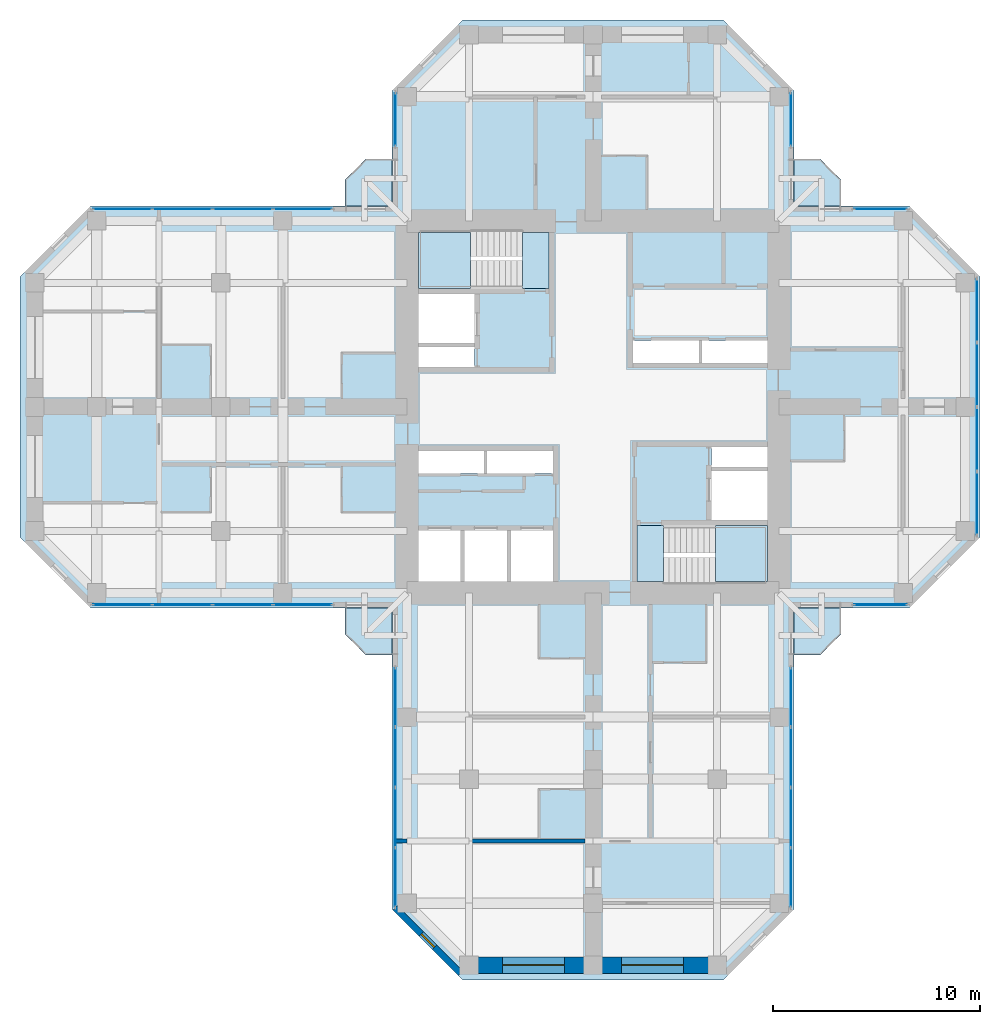
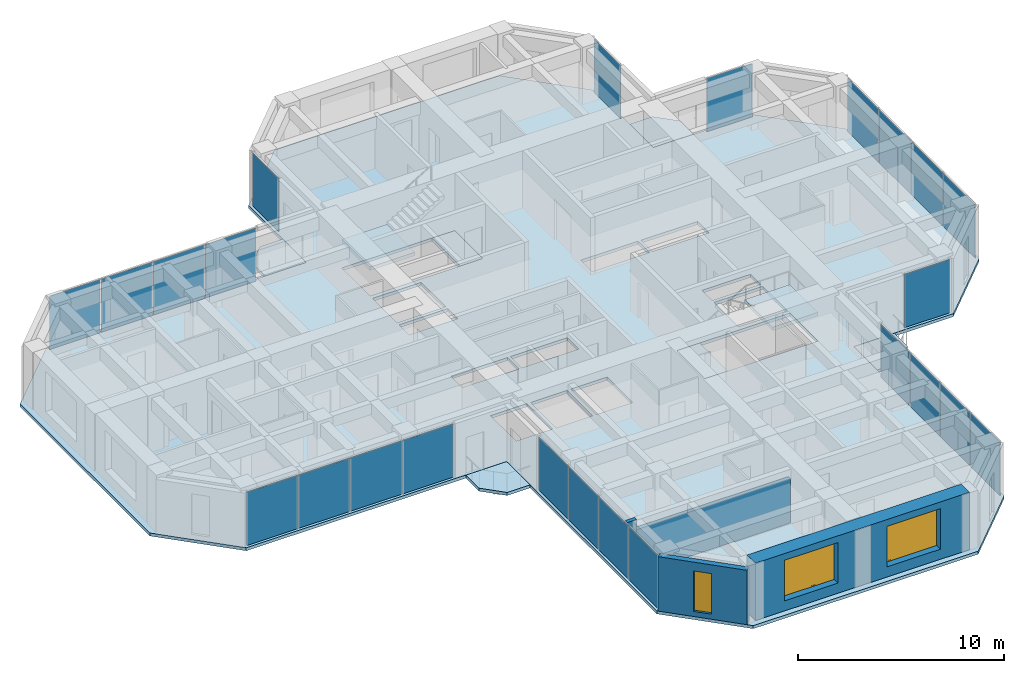
# One storey, part 7 of 13: 24 plates, 9 slabs, 4 walls, 3 windows, 3 openings, 11 elements without a shape of their own.
"""IFC4 building model written with IfcOpenShell, lengths in metres."""

from ifc_helpers import new_model, si_unit, direction, frame, frame_2d, origin, origin_2d, place, context, subcontext, project, spatial, polyline, rectangle, hollow_rectangle, outline, extrude, material, layer, layer_set, constituent, constituent_set, type_object, element, fill, aggregate, save


model = new_model("IFC4")

# Units and contexts
model_context = context("Model", 3, precision=1e-05, world=origin(), true_north=direction((0.0, 1.0)))
body_context = subcontext(model_context, "Body", "Model", "MODEL_VIEW")
ifc_project = project(units=[si_unit("LENGTHUNIT", "METRE"), si_unit("AREAUNIT", "SQUARE_METRE"), si_unit("VOLUMEUNIT", "CUBIC_METRE"), si_unit("PLANEANGLEUNIT", "RADIAN"), si_unit("MASSUNIT", "GRAM", prefix="KILO")], contexts=[model_context])

# Site, building, storey
site_placement = place(None, origin())
site = spatial("IfcSite", under=ifc_project, at=site_placement, CompositionType="ELEMENT")
building_placement = place(site_placement, origin())
building = spatial("IfcBuilding", under=site, at=building_placement, Name="Torre Cruceta", CompositionType="ELEMENT")
storey_placement = place(building_placement, frame((0.0, 0.0, 189.89990234375)))
storey = spatial("IfcBuildingStorey", under=building, at=storey_placement, Name="L47", CompositionType="ELEMENT", Elevation=189.89990234375)

# Slabs
ifc_material_1 = material(Name="Concrete G35 (fck 35 MPa)", Category="concrete")
ifc_layer_1 = layer(ifc_material_1, 0.179931640625)
ifc_layer_set_1 = layer_set([ifc_layer_1], Name="Concrete G35 (fck 35 MPa)")
slab_type_1 = type_object("IfcSlabType", Name="BALCONY SLAB 180", PredefinedType="USERDEFINED", material=ifc_layer_set_1)
slab_1_placement = place(storey_placement, frame((0.0, 0.0, -0.179931640625)))
element("IfcSlab", 1, at=slab_1_placement, inside=storey, type_object=slab_type_1, Name="Balcony slab L47 N", ObjectType="BALCONY", PredefinedType="USERDEFINED", context=body_context, shape_type="SweptSolid", body=[
    extrude(outline(polyline([(-12.0, 11.0), (-11.0, 12.0), (-9.719970703125, 12.0), (-9.719970703125, 9.719970703125), (-12.0, 9.719970703125), (-12.0, 11.0)])), origin(), (0.0, 0.0, 1.0), 0.179931640625),
])
slab_2_placement = place(storey_placement, frame((0.0, 0.0, -0.179931640625)))
element("IfcSlab", 2, at=slab_2_placement, inside=storey, type_object=slab_type_1, Name="Balcony slab L47 E", ObjectType="BALCONY", PredefinedType="USERDEFINED", context=body_context, shape_type="SweptSolid", body=[
    extrude(outline(polyline([(11.0, 12.0), (12.0, 11.0), (12.0, 9.719970703125), (9.719970703125, 9.719970703125), (9.719970703125, 12.0), (11.0, 12.0)])), origin(), (0.0, 0.0, 1.0), 0.179931640625),
])
slab_3_placement = place(storey_placement, frame((0.0, 0.0, -0.179931640625)))
element("IfcSlab", 3, at=slab_3_placement, inside=storey, type_object=slab_type_1, Name="Balcony slab L47 S", ObjectType="BALCONY", PredefinedType="USERDEFINED", context=body_context, shape_type="SweptSolid", body=[
    extrude(outline(polyline([(12.0, -11.0), (11.0, -12.0), (9.719970703125, -12.0), (9.719970703125, -9.719970703125), (12.0, -9.719970703125), (12.0, -11.0)])), origin(), (0.0, 0.0, 1.0), 0.179931640625),
])
slab_4_placement = place(storey_placement, frame((0.0, 0.0, -0.179931640625)))
element("IfcSlab", 4, at=slab_4_placement, inside=storey, type_object=slab_type_1, Name="Balcony slab L47 W", ObjectType="BALCONY", PredefinedType="USERDEFINED", context=body_context, shape_type="SweptSolid", body=[
    extrude(outline(polyline([(-11.0, -12.0), (-12.0, -11.0), (-12.0, -9.719970703125), (-9.719970703125, -9.719970703125), (-9.719970703125, -12.0), (-11.0, -12.0)])), origin(), (0.0, 0.0, 1.0), 0.179931640625),
])

# Curtain wall, plate
ifc_material_2 = material(Name="Aluminium unitised curtain wall", Category="aluminium")
curtain_wall_type = type_object("IfcCurtainWallType", Name="CURTAIN WALL CW-C CO-LIVING", PredefinedType="USERDEFINED", material=ifc_material_2)
curtain_wall_1_placement = place(storey_placement, origin())
curtain_wall_1 = element("IfcCurtainWall", 5, at=curtain_wall_1_placement, inside=storey, type_object=curtain_wall_type, Name="CW-C L47 E tip 02", ObjectType="UNITISED", PredefinedType="USERDEFINED")
ifc_material_3 = material(Name="Laminated insulating glass unit, low-iron clear", Category="glass")
ifc_material_4 = material(Name="Laminated insulating glass unit, diagonal frit 50 %", Category="glass")
ifc_layer_2 = layer(ifc_material_4, 0.030029296875)
ifc_layer_set_2 = layer_set([ifc_layer_2], Name="Laminated insulating glass unit, diagonal frit 50 %")
plate_type_1 = type_object("IfcPlateType", Name="CW-C OPERABLE VENT PANEL 30", PredefinedType="CURTAIN_PANEL", material=ifc_layer_set_2)
plate_1_placement = place(storey_placement, frame((18.570068359375, -1.55908203125, 0.01025390625), z_axis=(0.0, 0.0, 1.0), x_axis=(0.0, 1.0, 0.0)))
plate_1 = element("IfcPlate", 6, at=plate_1_placement, type_object=plate_type_1, material=ifc_material_3, Name="CW-C vent 2", PredefinedType="CURTAIN_PANEL", context=body_context, shape_type="SweptSolid", body=[
    extrude(rectangle(XDim=3.05810546875, YDim=0.030029296875, at=origin_2d()), origin(), (0.0, 0.0, 1.0), 3.14990234375),
])

curtain_wall_2_placement = place(storey_placement, origin())
curtain_wall_2 = element("IfcCurtainWall", 7, at=curtain_wall_2_placement, inside=storey, type_object=curtain_wall_type, Name="CW-C L47 W side 10", ObjectType="UNITISED", PredefinedType="USERDEFINED")
plate_2_placement = place(storey_placement, frame((-16.94482421875, 9.570068359375, 0.01025390625), z_axis=(0.0, 0.0, 1.0), x_axis=(-1.0, 0.0, 0.0)))
plate_2 = element("IfcPlate", 8, at=plate_2_placement, type_object=plate_type_1, material=ifc_material_3, Name="CW-C vent 2", PredefinedType="CURTAIN_PANEL", context=body_context, shape_type="SweptSolid", body=[
    extrude(rectangle(XDim=2.8564453125, YDim=0.030029296875, at=origin_2d()), origin(), (0.0, 0.0, 1.0), 3.14990234375),
])

curtain_wall_3_placement = place(storey_placement, origin())
curtain_wall_3 = element("IfcCurtainWall", 9, at=curtain_wall_3_placement, inside=storey, type_object=curtain_wall_type, Name="CW-C L47 W side 14", ObjectType="UNITISED", PredefinedType="USERDEFINED")
plate_3_placement = place(storey_placement, frame((-19.861328125, -9.570068359375, 0.01025390625), z_axis=(0.0, 0.0, 1.0), x_axis=(1.0, 0.0, 0.0)))
plate_3 = element("IfcPlate", 10, at=plate_3_placement, type_object=plate_type_1, material=ifc_material_3, Name="CW-C vent 2", PredefinedType="CURTAIN_PANEL", context=body_context, shape_type="SweptSolid", body=[
    extrude(rectangle(XDim=2.8564453125, YDim=0.030029296875, at=origin_2d()), origin(), (0.0, 0.0, 1.0), 3.14990234375),
])

curtain_wall_4_placement = place(storey_placement, origin())
curtain_wall_4 = element("IfcCurtainWall", 11, at=curtain_wall_4_placement, inside=storey, type_object=curtain_wall_type, Name="CW-C L47 S side 15", ObjectType="UNITISED", PredefinedType="USERDEFINED")
plate_4_placement = place(storey_placement, frame((-9.570068359375, -16.94482421875, 0.01025390625), z_axis=(0.0, 0.0, 1.0), x_axis=(0.0, -1.0, 0.0)))
plate_4 = element("IfcPlate", 12, at=plate_4_placement, type_object=plate_type_1, material=ifc_material_3, Name="CW-C vent 2", PredefinedType="CURTAIN_PANEL", context=body_context, shape_type="SweptSolid", body=[
    extrude(rectangle(XDim=2.8564453125, YDim=0.030029296875, at=origin_2d()), origin(), (0.0, 0.0, 1.0), 3.14990234375),
])

curtain_wall_5_placement = place(storey_placement, origin())
curtain_wall_5 = element("IfcCurtainWall", 13, at=curtain_wall_5_placement, inside=storey, type_object=curtain_wall_type, Name="CW-C L47 S side 19", ObjectType="UNITISED", PredefinedType="USERDEFINED")
plate_5_placement = place(storey_placement, frame((9.570068359375, -19.861328125, 0.01025390625), z_axis=(0.0, 0.0, 1.0), x_axis=(0.0, 1.0, 0.0)))
plate_5 = element("IfcPlate", 14, at=plate_5_placement, type_object=plate_type_1, material=ifc_material_3, Name="CW-C vent 2", PredefinedType="CURTAIN_PANEL", context=body_context, shape_type="SweptSolid", body=[
    extrude(rectangle(XDim=2.8564453125, YDim=0.030029296875, at=origin_2d()), origin(), (0.0, 0.0, 1.0), 3.14990234375),
])

curtain_wall_6_placement = place(storey_placement, origin())
curtain_wall_6 = element("IfcCurtainWall", 15, at=curtain_wall_6_placement, inside=storey, type_object=curtain_wall_type, Name="CW-C L47 E side 00", ObjectType="UNITISED", PredefinedType="USERDEFINED")
ifc_material_5 = material(Name="Laminated insulating glass unit, diagonal frit 50 %", Category="glass")
ifc_material_6 = material(Name="Laminated insulating glass unit, diagonal frit 50 %", Category="glass")
ifc_layer_3 = layer(ifc_material_6, 0.030029296875)
ifc_layer_set_3 = layer_set([ifc_layer_3], Name="Laminated insulating glass unit, diagonal frit 50 %")
plate_type_2 = type_object("IfcPlateType", Name="CW-C PANEL 30", PredefinedType="CURTAIN_PANEL", material=ifc_layer_set_3)
plate_6_placement = place(storey_placement, frame((13.903076171875, -9.570068359375, 0.01025390625), z_axis=(0.0, 0.0, 1.0), x_axis=(1.0, 0.0, 0.0)))
plate_6 = element("IfcPlate", 16, at=plate_6_placement, type_object=plate_type_2, material=ifc_material_5, Name="CW-C panel 1", PredefinedType="CURTAIN_PANEL", context=body_context, shape_type="SweptSolid", body=[
    extrude(rectangle(XDim=2.546142578125, YDim=0.030029296875, at=origin_2d()), origin(), (0.0, 0.0, 1.0), 3.14990234375),
])
aggregate(curtain_wall_6, [plate_6])

# Plate
plate_7_placement = place(storey_placement, frame((18.570068359375, -4.662109375, 0.01025390625), z_axis=(0.0, 0.0, 1.0), x_axis=(0.0, 1.0, 0.0)))
plate_7 = element("IfcPlate", 17, at=plate_7_placement, type_object=plate_type_2, material=ifc_material_5, Name="CW-C panel 1", PredefinedType="CURTAIN_PANEL", context=body_context, shape_type="SweptSolid", body=[
    extrude(rectangle(XDim=3.028076171875, YDim=0.030029296875, at=origin_2d()), origin(), (0.0, 0.0, 1.0), 3.14990234375),
])

plate_8_placement = place(storey_placement, frame((18.570068359375, 1.55908203125, 0.01025390625), z_axis=(0.0, 0.0, 1.0), x_axis=(0.0, 1.0, 0.0)))
plate_8 = element("IfcPlate", 18, at=plate_8_placement, type_object=plate_type_2, material=ifc_material_3, Name="CW-C panel 3", PredefinedType="CURTAIN_PANEL", context=body_context, shape_type="SweptSolid", body=[
    extrude(rectangle(XDim=3.05810546875, YDim=0.030029296875, at=origin_2d()), origin(), (0.0, 0.0, 1.0), 3.14990234375),
])

plate_9_placement = place(storey_placement, frame((18.570068359375, 4.662109375, 0.01025390625), z_axis=(0.0, 0.0, 1.0), x_axis=(0.0, 1.0, 0.0)))
plate_9 = element("IfcPlate", 19, at=plate_9_placement, type_object=plate_type_2, material=ifc_material_5, Name="CW-C panel 4", PredefinedType="CURTAIN_PANEL", context=body_context, shape_type="SweptSolid", body=[
    extrude(rectangle(XDim=3.028076171875, YDim=0.030029296875, at=origin_2d()), origin(), (0.0, 0.0, 1.0), 3.14990234375),
])

aggregate(curtain_wall_1, [plate_7, plate_1, plate_8, plate_9])

# Curtain wall, plate
curtain_wall_7_placement = place(storey_placement, origin())
curtain_wall_7 = element("IfcCurtainWall", 20, at=curtain_wall_7_placement, inside=storey, type_object=curtain_wall_type, Name="CW-C L47 E side 04", ObjectType="UNITISED", PredefinedType="USERDEFINED")
plate_10_placement = place(storey_placement, frame((13.903076171875, 9.570068359375, 0.01025390625), z_axis=(0.0, 0.0, 1.0), x_axis=(-1.0, 0.0, 0.0)))
plate_10 = element("IfcPlate", 21, at=plate_10_placement, type_object=plate_type_2, material=ifc_material_5, Name="CW-C panel 1", PredefinedType="CURTAIN_PANEL", context=body_context, shape_type="SweptSolid", body=[
    extrude(rectangle(XDim=2.546142578125, YDim=0.030029296875, at=origin_2d()), origin(), (0.0, 0.0, 1.0), 3.14990234375),
])
aggregate(curtain_wall_7, [plate_10])

curtain_wall_8_placement = place(storey_placement, origin())
curtain_wall_8 = element("IfcCurtainWall", 22, at=curtain_wall_8_placement, inside=storey, type_object=curtain_wall_type, Name="CW-C L47 N side 05", ObjectType="UNITISED", PredefinedType="USERDEFINED")
plate_11_placement = place(storey_placement, frame((9.570068359375, 13.903076171875, 0.01025390625), z_axis=(0.0, 0.0, 1.0), x_axis=(0.0, 1.0, 0.0)))
plate_11 = element("IfcPlate", 23, at=plate_11_placement, type_object=plate_type_2, material=ifc_material_5, Name="CW-C panel 1", PredefinedType="CURTAIN_PANEL", context=body_context, shape_type="SweptSolid", body=[
    extrude(rectangle(XDim=2.546142578125, YDim=0.030029296875, at=origin_2d()), origin(), (0.0, 0.0, 1.0), 3.14990234375),
])
aggregate(curtain_wall_8, [plate_11])

curtain_wall_9_placement = place(storey_placement, origin())
curtain_wall_9 = element("IfcCurtainWall", 24, at=curtain_wall_9_placement, inside=storey, type_object=curtain_wall_type, Name="CW-C L47 N side 09", ObjectType="UNITISED", PredefinedType="USERDEFINED")
plate_12_placement = place(storey_placement, frame((-9.570068359375, 13.903076171875, 0.01025390625), z_axis=(0.0, 0.0, 1.0), x_axis=(0.0, -1.0, 0.0)))
plate_12 = element("IfcPlate", 25, at=plate_12_placement, type_object=plate_type_2, material=ifc_material_5, Name="CW-C panel 1", PredefinedType="CURTAIN_PANEL", context=body_context, shape_type="SweptSolid", body=[
    extrude(rectangle(XDim=2.546142578125, YDim=0.030029296875, at=origin_2d()), origin(), (0.0, 0.0, 1.0), 3.14990234375),
])
aggregate(curtain_wall_9, [plate_12])

# Plate
plate_13_placement = place(storey_placement, frame((-14.043212890625, 9.570068359375, 0.01025390625), z_axis=(0.0, 0.0, 1.0), x_axis=(-1.0, 0.0, 0.0)))
plate_13 = element("IfcPlate", 26, at=plate_13_placement, type_object=plate_type_2, material=ifc_material_5, Name="CW-C panel 1", PredefinedType="CURTAIN_PANEL", context=body_context, shape_type="SweptSolid", body=[
    extrude(rectangle(XDim=2.826416015625, YDim=0.030029296875, at=origin_2d()), origin(), (0.0, 0.0, 1.0), 3.14990234375),
])

plate_14_placement = place(storey_placement, frame((-19.861328125, 9.570068359375, 0.01025390625), z_axis=(0.0, 0.0, 1.0), x_axis=(-1.0, 0.0, 0.0)))
plate_14 = element("IfcPlate", 27, at=plate_14_placement, type_object=plate_type_2, material=ifc_material_3, Name="CW-C panel 3", PredefinedType="CURTAIN_PANEL", context=body_context, shape_type="SweptSolid", body=[
    extrude(rectangle(XDim=2.8564453125, YDim=0.030029296875, at=origin_2d()), origin(), (0.0, 0.0, 1.0), 3.14990234375),
])

plate_15_placement = place(storey_placement, frame((-22.762939453125, 9.570068359375, 0.01025390625), z_axis=(0.0, 0.0, 1.0), x_axis=(-1.0, 0.0, 0.0)))
plate_15 = element("IfcPlate", 28, at=plate_15_placement, type_object=plate_type_2, material=ifc_material_5, Name="CW-C panel 4", PredefinedType="CURTAIN_PANEL", context=body_context, shape_type="SweptSolid", body=[
    extrude(rectangle(XDim=2.826416015625, YDim=0.030029296875, at=origin_2d()), origin(), (0.0, 0.0, 1.0), 3.14990234375),
])

aggregate(curtain_wall_2, [plate_13, plate_2, plate_14, plate_15])

plate_16_placement = place(storey_placement, frame((-22.762939453125, -9.570068359375, 0.01025390625), z_axis=(0.0, 0.0, 1.0), x_axis=(1.0, 0.0, 0.0)))
plate_16 = element("IfcPlate", 29, at=plate_16_placement, type_object=plate_type_2, material=ifc_material_5, Name="CW-C panel 1", PredefinedType="CURTAIN_PANEL", context=body_context, shape_type="SweptSolid", body=[
    extrude(rectangle(XDim=2.826416015625, YDim=0.030029296875, at=origin_2d()), origin(), (0.0, 0.0, 1.0), 3.14990234375),
])

plate_17_placement = place(storey_placement, frame((-16.94482421875, -9.570068359375, 0.01025390625), z_axis=(0.0, 0.0, 1.0), x_axis=(1.0, 0.0, 0.0)))
plate_17 = element("IfcPlate", 30, at=plate_17_placement, type_object=plate_type_2, material=ifc_material_3, Name="CW-C panel 3", PredefinedType="CURTAIN_PANEL", context=body_context, shape_type="SweptSolid", body=[
    extrude(rectangle(XDim=2.8564453125, YDim=0.030029296875, at=origin_2d()), origin(), (0.0, 0.0, 1.0), 3.14990234375),
])

plate_18_placement = place(storey_placement, frame((-14.043212890625, -9.570068359375, 0.01025390625), z_axis=(0.0, 0.0, 1.0), x_axis=(1.0, 0.0, 0.0)))
plate_18 = element("IfcPlate", 31, at=plate_18_placement, type_object=plate_type_2, material=ifc_material_5, Name="CW-C panel 4", PredefinedType="CURTAIN_PANEL", context=body_context, shape_type="SweptSolid", body=[
    extrude(rectangle(XDim=2.826416015625, YDim=0.030029296875, at=origin_2d()), origin(), (0.0, 0.0, 1.0), 3.14990234375),
])

aggregate(curtain_wall_3, [plate_16, plate_3, plate_17, plate_18])

plate_19_placement = place(storey_placement, frame((-9.570068359375, -14.043212890625, 0.01025390625), z_axis=(0.0, 0.0, 1.0), x_axis=(0.0, -1.0, 0.0)))
plate_19 = element("IfcPlate", 32, at=plate_19_placement, type_object=plate_type_2, material=ifc_material_5, Name="CW-C panel 1", PredefinedType="CURTAIN_PANEL", context=body_context, shape_type="SweptSolid", body=[
    extrude(rectangle(XDim=2.826416015625, YDim=0.030029296875, at=origin_2d()), origin(), (0.0, 0.0, 1.0), 3.14990234375),
])

plate_20_placement = place(storey_placement, frame((-9.570068359375, -19.861328125, 0.01025390625), z_axis=(0.0, 0.0, 1.0), x_axis=(0.0, -1.0, 0.0)))
plate_20 = element("IfcPlate", 33, at=plate_20_placement, type_object=plate_type_2, material=ifc_material_3, Name="CW-C panel 3", PredefinedType="CURTAIN_PANEL", context=body_context, shape_type="SweptSolid", body=[
    extrude(rectangle(XDim=2.8564453125, YDim=0.030029296875, at=origin_2d()), origin(), (0.0, 0.0, 1.0), 3.14990234375),
])

plate_21_placement = place(storey_placement, frame((-9.570068359375, -22.762939453125, 0.01025390625), z_axis=(0.0, 0.0, 1.0), x_axis=(0.0, -1.0, 0.0)))
plate_21 = element("IfcPlate", 34, at=plate_21_placement, type_object=plate_type_2, material=ifc_material_5, Name="CW-C panel 4", PredefinedType="CURTAIN_PANEL", context=body_context, shape_type="SweptSolid", body=[
    extrude(rectangle(XDim=2.826416015625, YDim=0.030029296875, at=origin_2d()), origin(), (0.0, 0.0, 1.0), 3.14990234375),
])

aggregate(curtain_wall_4, [plate_19, plate_4, plate_20, plate_21])

plate_22_placement = place(storey_placement, frame((9.570068359375, -22.762939453125, 0.01025390625), z_axis=(0.0, 0.0, 1.0), x_axis=(0.0, 1.0, 0.0)))
plate_22 = element("IfcPlate", 35, at=plate_22_placement, type_object=plate_type_2, material=ifc_material_5, Name="CW-C panel 1", PredefinedType="CURTAIN_PANEL", context=body_context, shape_type="SweptSolid", body=[
    extrude(rectangle(XDim=2.826416015625, YDim=0.030029296875, at=origin_2d()), origin(), (0.0, 0.0, 1.0), 3.14990234375),
])

plate_23_placement = place(storey_placement, frame((9.570068359375, -16.94482421875, 0.01025390625), z_axis=(0.0, 0.0, 1.0), x_axis=(0.0, 1.0, 0.0)))
plate_23 = element("IfcPlate", 36, at=plate_23_placement, type_object=plate_type_2, material=ifc_material_3, Name="CW-C panel 3", PredefinedType="CURTAIN_PANEL", context=body_context, shape_type="SweptSolid", body=[
    extrude(rectangle(XDim=2.8564453125, YDim=0.030029296875, at=origin_2d()), origin(), (0.0, 0.0, 1.0), 3.14990234375),
])

plate_24_placement = place(storey_placement, frame((9.570068359375, -14.043212890625, 0.01025390625), z_axis=(0.0, 0.0, 1.0), x_axis=(0.0, 1.0, 0.0)))
plate_24 = element("IfcPlate", 37, at=plate_24_placement, type_object=plate_type_2, material=ifc_material_5, Name="CW-C panel 4", PredefinedType="CURTAIN_PANEL", context=body_context, shape_type="SweptSolid", body=[
    extrude(rectangle(XDim=2.826416015625, YDim=0.030029296875, at=origin_2d()), origin(), (0.0, 0.0, 1.0), 3.14990234375),
])

aggregate(curtain_wall_5, [plate_22, plate_5, plate_23, plate_24])

# Slab
ifc_material_7 = material(Name="Concrete G35 (fck 35 MPa)", Category="concrete")
ifc_layer_4 = layer(ifc_material_7, 0.179931640625)
ifc_layer_set_4 = layer_set([ifc_layer_4], Name="Concrete G35 (fck 35 MPa)")
slab_type_2 = type_object("IfcSlabType", Name="FLOOR SLAB 180", PredefinedType="FLOOR", material=ifc_layer_set_4)
slab_5_placement = place(storey_placement, frame((0.0, 0.0, -0.179931640625)))
element("IfcSlab", 38, at=slab_5_placement, inside=storey, type_object=slab_type_2, Name="Floor Slab L47", PredefinedType="FLOOR", context=body_context, shape_type="SweptSolid", body=[
    extrude(outline(polyline([(9.719970703125, -9.719970703125), (9.719970703125, -24.29833984375), (6.29833984375, -27.719970703125), (-6.29833984375, -27.719970703125), (-9.719970703125, -24.29833984375), (-9.719970703125, -9.719970703125), (-24.29833984375, -9.719970703125), (-27.719970703125, -6.29833984375), (-27.719970703125, 6.29833984375), (-24.29833984375, 9.719970703125), (-9.719970703125, 9.719970703125), (-9.719970703125, 15.29833984375), (-6.29833984375, 18.719970703125), (6.29833984375, 18.719970703125), (9.719970703125, 15.29833984375), (9.719970703125, 9.719970703125), (15.29833984375, 9.719970703125), (18.719970703125, 6.29833984375), (18.719970703125, -6.29833984375), (15.29833984375, -9.719970703125), (9.719970703125, -9.719970703125)]), holes=[polyline([(1.925048828125, 2.125), (5.125, 2.125), (5.125, 3.22509765625), (1.925048828125, 3.22509765625), (1.925048828125, 2.125)]), polyline([(5.27490234375, 2.125), (8.449951171875, 2.125), (8.449951171875, 3.22509765625), (5.27490234375, 3.22509765625), (5.27490234375, 2.125)]), polyline([(-8.449951171875, 3.10009765625), (-5.72509765625, 3.10009765625), (-5.72509765625, 5.47509765625), (-8.449951171875, 5.47509765625), (-8.449951171875, 3.10009765625)]), polyline([(-8.449951171875, 1.925048828125), (-5.72509765625, 1.925048828125), (-5.72509765625, 2.89990234375), (-8.449951171875, 2.89990234375), (-8.449951171875, 1.925048828125)]), polyline([(-3.966552734375, -8.449951171875), (-1.925048828125, -8.449951171875), (-1.925048828125, -5.97509765625), (-3.966552734375, -5.97509765625), (-3.966552734375, -8.449951171875)]), polyline([(-6.208251953125, -8.449951171875), (-4.166748046875, -8.449951171875), (-4.166748046875, -5.97509765625), (-6.208251953125, -5.97509765625), (-6.208251953125, -8.449951171875)]), polyline([(-8.449951171875, -8.449951171875), (-6.408447265625, -8.449951171875), (-6.408447265625, -5.97509765625), (-8.449951171875, -5.97509765625), (-8.449951171875, -8.449951171875)]), polyline([(-5.125, -3.22509765625), (-1.925048828125, -3.22509765625), (-1.925048828125, -2.125), (-5.125, -2.125), (-5.125, -3.22509765625)]), polyline([(-8.449951171875, -3.22509765625), (-5.27490234375, -3.22509765625), (-5.27490234375, -2.125), (-8.449951171875, -2.125), (-8.449951171875, -3.22509765625)]), polyline([(5.72509765625, -5.47509765625), (8.449951171875, -5.47509765625), (8.449951171875, -3.10009765625), (5.72509765625, -3.10009765625), (5.72509765625, -5.47509765625)]), polyline([(5.72509765625, -2.89990234375), (8.449951171875, -2.89990234375), (8.449951171875, -1.925048828125), (5.72509765625, -1.925048828125), (5.72509765625, -2.89990234375)]), polyline([(-8.449951171875, 5.72509765625), (-8.449951171875, 8.449951171875), (-3.39990234375, 8.449951171875), (-2.125, 8.449951171875), (-2.125, 5.72509765625), (-3.39990234375, 5.72509765625), (-8.449951171875, 5.72509765625)]), polyline([(2.125, -5.72509765625), (3.39990234375, -5.72509765625), (8.449951171875, -5.72509765625), (8.449951171875, -8.449951171875), (3.39990234375, -8.449951171875), (2.125, -8.449951171875), (2.125, -5.72509765625)])]), origin(), (0.0, 0.0, 1.0), 0.179931640625),
])

# Stair, slab
ifc_material_8 = material(Name="Concrete G30 (fck 30 MPa)", Category="concrete")
stair_type = type_object("IfcStairType", Name="STAIR HALF-TURN 1300", PredefinedType="HALF_TURN_STAIR", material=ifc_material_8)
stair_1_placement = place(storey_placement, origin())
stair_1 = element("IfcStair", 39, at=stair_1_placement, inside=storey, type_object=stair_type, Name="Stair ST1 L47", PredefinedType="HALF_TURN_STAIR")
ifc_material_9 = material(Name="Concrete G30 (fck 30 MPa)", Category="concrete")
ifc_layer_5 = layer(ifc_material_9, 0.199951171875)
ifc_layer_set_5 = layer_set([ifc_layer_5], Name="Concrete G30 (fck 30 MPa)")
slab_type_3 = type_object("IfcSlabType", Name="STAIR LANDING 200", PredefinedType="LANDING", material=ifc_layer_set_5)
slab_6_placement = place(storey_placement, frame((0.0, 0.0, 1.5)))
slab_6 = element("IfcSlab", 40, at=slab_6_placement, type_object=slab_type_3, Name="ST1 landing 1", PredefinedType="LANDING", context=body_context, shape_type="SweptSolid", body=[
    extrude(outline(polyline([(-8.449951171875, 5.72509765625), (-5.919921875, 5.72509765625), (-5.919921875, 8.449951171875), (-8.449951171875, 8.449951171875), (-8.449951171875, 5.72509765625)])), origin(), (0.0, 0.0, 1.0), 0.2001953125),
])
aggregate(stair_1, [slab_6])

stair_2_placement = place(storey_placement, origin())
stair_2 = element("IfcStair", 41, at=stair_2_placement, inside=storey, type_object=stair_type, Name="Stair ST2 L47", PredefinedType="HALF_TURN_STAIR")
slab_7_placement = place(storey_placement, frame((0.0, 0.0, 1.5)))
slab_7 = element("IfcSlab", 42, at=slab_7_placement, type_object=slab_type_3, Name="ST2 landing 1", PredefinedType="LANDING", context=body_context, shape_type="SweptSolid", body=[
    extrude(outline(polyline([(5.919921875, -8.449951171875), (8.449951171875, -8.449951171875), (8.449951171875, -5.72509765625), (5.919921875, -5.72509765625), (5.919921875, -8.449951171875)])), origin(), (0.0, 0.0, 1.0), 0.2001953125),
])
aggregate(stair_2, [slab_7])

# Slabs
slab_8_placement = place(storey_placement, frame((0.0, 0.0, -0.199951171875)))
element("IfcSlab", 43, at=slab_8_placement, inside=storey, type_object=slab_type_3, Name="Stair ST1 floor landing L47", PredefinedType="LANDING", context=body_context, shape_type="SweptSolid", body=[
    extrude(outline(polyline([(-2.125, 8.449951171875), (-2.125, 5.72509765625), (-3.39990234375, 5.72509765625), (-3.39990234375, 8.449951171875), (-2.125, 8.449951171875)])), origin(), (0.0, 0.0, 1.0), 0.199951171875),
])
slab_9_placement = place(storey_placement, frame((0.0, 0.0, -0.199951171875)))
element("IfcSlab", 44, at=slab_9_placement, inside=storey, type_object=slab_type_3, Name="Stair ST2 floor landing L47", PredefinedType="LANDING", context=body_context, shape_type="SweptSolid", body=[
    extrude(outline(polyline([(2.125, -8.449951171875), (2.125, -5.72509765625), (3.39990234375, -5.72509765625), (3.39990234375, -8.449951171875), (2.125, -8.449951171875)])), origin(), (0.0, 0.0, 1.0), 0.199951171875),
])

# Wall, opening, window
ifc_material_10 = material(Name="Concrete G30 (fck 30 MPa)", Category="concrete")
ifc_layer_6 = layer(ifc_material_10, 0.300048828125)
ifc_layer_set_6 = layer_set([ifc_layer_6], Name="Concrete G30 (fck 30 MPa)")
wall_type_1 = type_object("IfcWallType", Name="EXPOSED CONCRETE FACADE WALL 300", PredefinedType="SOLIDWALL", material=ifc_layer_set_6)
wall_1_placement = place(storey_placement, frame((-9.570068359375, -24.236083984375, 0.0), z_axis=(0.0, 0.0, 1.0), x_axis=(0.707134062067, -0.707079499254, 0.0)))
wall_1 = element("IfcWall", 45, at=wall_1_placement, inside=storey, type_object=wall_type_1, Name="EW1 facade wall L47 S chamfer 16", PredefinedType="SOLIDWALL", context=body_context, shape_type="SweptSolid", body=[
    extrude(rectangle(XDim=4.474609375, YDim=0.300048828125, at=frame_2d((2.2373046875, 0.0))), origin(), (0.0, 0.0, 1.0), 3.22021484375),
])
opening_1_placement = place(wall_1_placement, frame((1.787109375, 0.0, 0.300048828125)))
opening_1 = element("IfcOpeningElement", 46, at=opening_1_placement, cuts=wall_1, Name="Opening WN5", PredefinedType="OPENING", context=body_context, shape_type="SweptSolid", body=[
    extrude(rectangle(XDim=0.89990234375, YDim=2.39990234375, at=frame_2d((0.449951171875, 1.199951171875))), frame((0.0, 0.159912109375, 0.0), z_axis=(0.0, -1.0, 0.0), x_axis=(1.0, 0.0, 0.0)), (0.0, 0.0, 1.0), 0.320068359375),
])
ifc_material_11 = material(Name="Aluminium window frame", Category="aluminium")
ifc_constituent_1 = constituent(ifc_material_11, Name="Frame")
ifc_material_12 = material(Name="Laminated insulating glass unit, low-iron clear", Category="glass")
ifc_constituent_2 = constituent(ifc_material_12, Name="Glazing")
ifc_constituent_set_1 = constituent_set(constituents=[ifc_constituent_1, ifc_constituent_2], Name="Aluminium window")
window_type_1 = type_object("IfcWindowType", Name="CHAMFER SLOT WINDOW 900X2400", PartitioningType="SINGLE_PANEL", PredefinedType="WINDOW", material=ifc_constituent_set_1)
window_1_placement = place(opening_1_placement, origin())
window_1 = element("IfcWindow", 47, at=window_1_placement, inside=storey, type_object=window_type_1, Name="WN5 L47 S 1", OverallHeight=2.39990234375, OverallWidth=0.89990234375, PartitioningType="SINGLE_PANEL", PredefinedType="WINDOW", context=body_context, shape_type="SweptSolid", body=[
    extrude(hollow_rectangle(XDim=0.89990234375, YDim=2.39990234375, WallThickness=0.06005859375, at=frame_2d((0.449951171875, 1.199951171875))), frame((0.0, 0.030029296875, 0.0), z_axis=(0.0, -1.0, 0.0), x_axis=(1.0, 0.0, 0.0)), (0.0, 0.0, 1.0), 0.06005859375),
    extrude(rectangle(XDim=0.77880859375, YDim=2.27880859375, at=frame_2d((0.449951171875, 1.199951171875))), frame((0.0, 0.030029296875, 0.0), z_axis=(0.0, -1.0, 0.0), x_axis=(1.0, 0.0, 0.0)), (0.0, 0.0, 1.0), 0.06005859375),
])
fill(opening_1, window_1)

# Wall, openings, windows
ifc_material_13 = material(Name="Concrete G60 (fck 60 MPa)", Category="concrete")
ifc_layer_7 = layer(ifc_material_13, 0.800048828125)
ifc_layer_set_7 = layer_set([ifc_layer_7], Name="Concrete G60 (fck 60 MPa)")
wall_type_2 = type_object("IfcWallType", Name="NOSE WALL 800 G60", PredefinedType="SHEAR", material=ifc_layer_set_7)
wall_2_placement = place(storey_placement, frame((-6.0, -27.0, 0.0), z_axis=(0.0, 0.0, 1.0), x_axis=(1.0, 0.0, 0.0)))
wall_2 = element("IfcWall", 48, at=wall_2_placement, inside=storey, type_object=wall_type_2, Name="NW2 nose wall L47 S", PredefinedType="SHEAR", context=body_context, shape_type="SweptSolid", body=[
    extrude(rectangle(XDim=12.0, YDim=0.800048828125, at=frame_2d((6.0, 0.0))), origin(), (0.0, 0.0, 1.0), 3.400146484375),
])
opening_2_placement = place(wall_2_placement, frame((1.625, 0.0, 0.60009765625)))
opening_2 = element("IfcOpeningElement", 49, at=opening_2_placement, cuts=wall_2, Name="Opening WN6", PredefinedType="OPENING", context=body_context, shape_type="SweptSolid", body=[
    extrude(rectangle(XDim=3.0, YDim=2.39990234375, at=frame_2d((1.5, 1.199951171875))), frame((0.0, 0.409912109375, 0.0), z_axis=(0.0, -1.0, 0.0), x_axis=(1.0, 0.0, 0.0)), (0.0, 0.0, 1.0), 0.820068359375),
])
opening_3_placement = place(wall_2_placement, frame((7.375, 0.0, 0.60009765625)))
opening_3 = element("IfcOpeningElement", 50, at=opening_3_placement, cuts=wall_2, Name="Opening WN6", PredefinedType="OPENING", context=body_context, shape_type="SweptSolid", body=[
    extrude(rectangle(XDim=3.0, YDim=2.39990234375, at=frame_2d((1.5, 1.199951171875))), frame((0.0, 0.409912109375, 0.0), z_axis=(0.0, -1.0, 0.0), x_axis=(1.0, 0.0, 0.0)), (0.0, 0.0, 1.0), 0.820068359375),
])
ifc_material_14 = material(Name="Aluminium window frame", Category="aluminium")
ifc_constituent_3 = constituent(ifc_material_14, Name="Frame")
ifc_material_15 = material(Name="Laminated insulating glass unit, low-iron clear", Category="glass")
ifc_constituent_4 = constituent(ifc_material_15, Name="Glazing")
ifc_constituent_set_2 = constituent_set(constituents=[ifc_constituent_3, ifc_constituent_4], Name="Aluminium window")
window_type_2 = type_object("IfcWindowType", Name="NOSE WALL WINDOW 3000X2400", PartitioningType="SINGLE_PANEL", PredefinedType="WINDOW", material=ifc_constituent_set_2)
window_2_placement = place(opening_2_placement, origin())
window_2 = element("IfcWindow", 51, at=window_2_placement, inside=storey, type_object=window_type_2, Name="WN6 L47 S 1", OverallHeight=2.39990234375, OverallWidth=3.0, PartitioningType="SINGLE_PANEL", PredefinedType="WINDOW", context=body_context, shape_type="SweptSolid", body=[
    extrude(hollow_rectangle(XDim=3.0, YDim=2.39990234375, WallThickness=0.06005859375, at=frame_2d((1.5, 1.199951171875))), frame((0.0, 0.030029296875, 0.0), z_axis=(0.0, -1.0, 0.0), x_axis=(1.0, 0.0, 0.0)), (0.0, 0.0, 1.0), 0.06005859375),
    extrude(rectangle(XDim=2.87890625, YDim=2.27880859375, at=frame_2d((1.5, 1.199951171875))), frame((0.0, 0.030029296875, 0.0), z_axis=(0.0, -1.0, 0.0), x_axis=(1.0, 0.0, 0.0)), (0.0, 0.0, 1.0), 0.06005859375),
])
fill(opening_2, window_2)
window_3_placement = place(opening_3_placement, origin())
window_3 = element("IfcWindow", 52, at=window_3_placement, inside=storey, type_object=window_type_2, Name="WN6 L47 S 2", OverallHeight=2.39990234375, OverallWidth=3.0, PartitioningType="SINGLE_PANEL", PredefinedType="WINDOW", context=body_context, shape_type="SweptSolid", body=[
    extrude(hollow_rectangle(XDim=3.0, YDim=2.39990234375, WallThickness=0.06005859375, at=frame_2d((1.5, 1.199951171875))), frame((0.0, 0.030029296875, 0.0), z_axis=(0.0, -1.0, 0.0), x_axis=(1.0, 0.0, 0.0)), (0.0, 0.0, 1.0), 0.06005859375),
    extrude(rectangle(XDim=2.87890625, YDim=2.27880859375, at=frame_2d((1.5, 1.199951171875))), frame((0.0, 0.030029296875, 0.0), z_axis=(0.0, -1.0, 0.0), x_axis=(1.0, 0.0, 0.0)), (0.0, 0.0, 1.0), 0.06005859375),
])
fill(opening_3, window_3)

# Walls
ifc_material_16 = material(Name="Concrete G25 (fck 25 MPa)", Category="concrete")
ifc_layer_8 = layer(ifc_material_16, 0.199951171875)
ifc_layer_set_8 = layer_set([ifc_layer_8], Name="Concrete G25 (fck 25 MPa)")
wall_type_3 = type_object("IfcWallType", Name="UNIT SEPARATING WALL 200", PredefinedType="SOLIDWALL", material=ifc_layer_set_8)
wall_3_placement = place(storey_placement, frame((-9.530029296875, -21.0, 0.0), z_axis=(0.0, 0.0, 1.0), x_axis=(1.0, 0.0, 0.0)))
element("IfcWall", 53, at=wall_3_placement, inside=storey, type_object=wall_type_3, Name="PT2 L47-S-ENDa", PredefinedType="SOLIDWALL", context=body_context, shape_type="SweptSolid", body=[
    extrude(rectangle(XDim=0.530029296875, YDim=0.199951171875, at=frame_2d((0.26513671875, 0.0))), origin(), (0.0, 0.0, 1.0), 3.22021484375),
])
wall_4_placement = place(storey_placement, frame((-9.0, -21.0, 0.0), z_axis=(0.0, 0.0, 1.0), x_axis=(1.0, 0.0, 0.0)))
element("IfcWall", 54, at=wall_4_placement, inside=storey, type_object=wall_type_3, Name="PT2 L47-S-ENDa 2", PredefinedType="SOLIDWALL", context=body_context, shape_type="SweptSolid", body=[
    extrude(rectangle(XDim=8.60009765625, YDim=0.199951171875, at=frame_2d((4.300048828125, 0.0))), origin(), (0.0, 0.0, 1.0), 2.6201171875),
])

save(model, "model.ifc")
